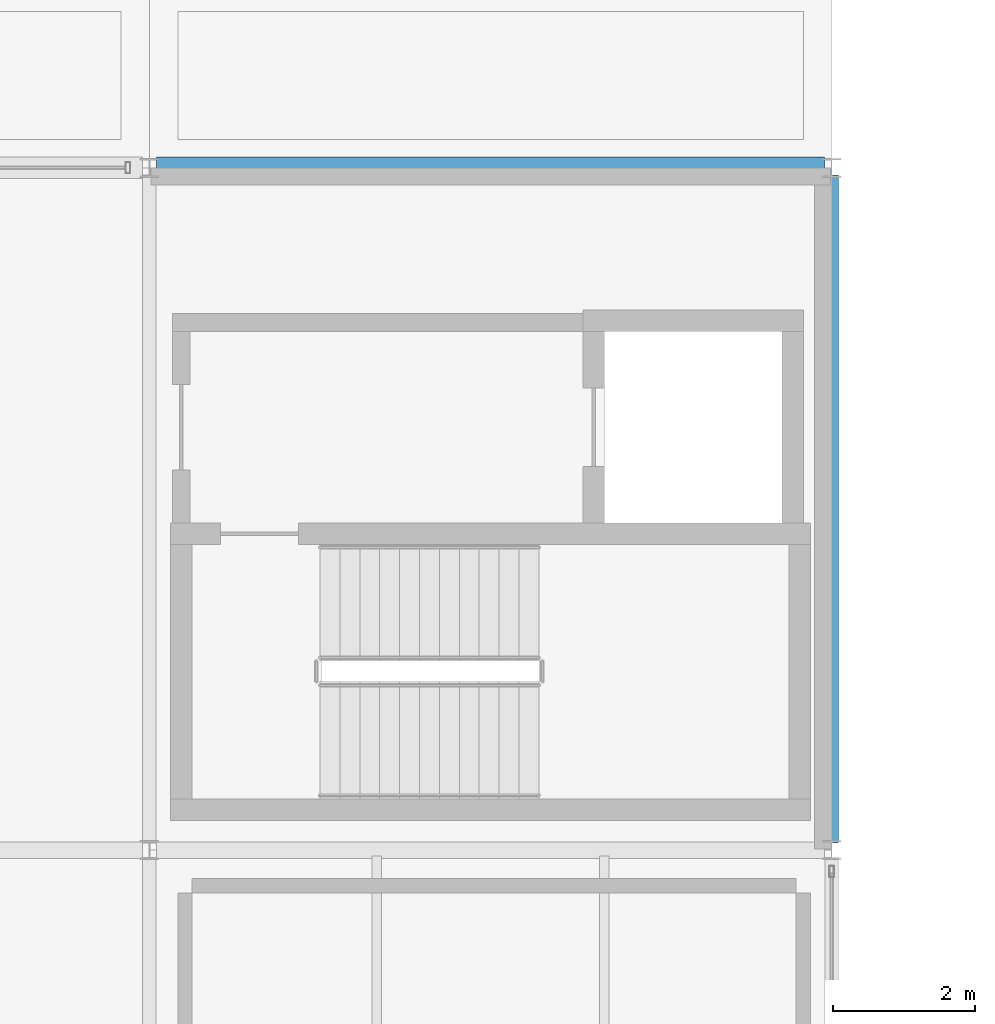
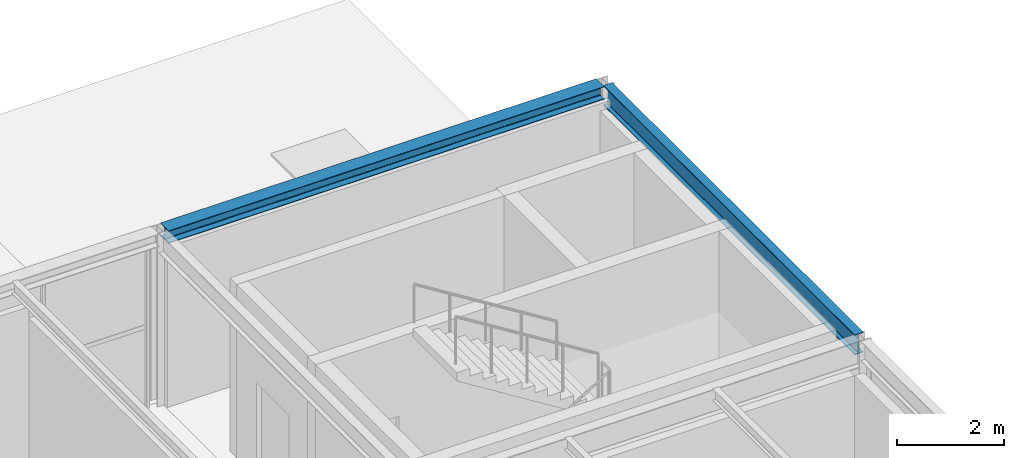
# One storey, part 29 of 39: 2 beams.
"""IFC4 building model written with IfcOpenShell, lengths in metres."""

from ifc_helpers import new_model, si_unit, direction, frame, origin, origin_2d, place, context, subcontext, project, spatial, i_section, extrude, material, material_profile, profile_set, type_object, element, save


model = new_model("IFC4")

# Units and contexts
model_context = context("Model", 3, precision=1e-05, world=origin(), true_north=direction((0.0, 1.0)))
body_context = subcontext(model_context, "Body", "Model", "MODEL_VIEW")
ifc_project = project(units=[si_unit("LENGTHUNIT", "METRE"), si_unit("AREAUNIT", "SQUARE_METRE"), si_unit("VOLUMEUNIT", "CUBIC_METRE"), si_unit("PLANEANGLEUNIT", "RADIAN"), si_unit("MASSUNIT", "GRAM", prefix="KILO")], contexts=[model_context])

# Site, building, storey
site_placement = place(None, origin())
site = spatial("IfcSite", under=ifc_project, at=site_placement, CompositionType="ELEMENT")
building_placement = place(site_placement, origin())
building = spatial("IfcBuilding", under=site, at=building_placement, Name="Coralgate Yard Interchange", CompositionType="ELEMENT")
storey_placement = place(building_placement, frame((0.0, 0.0, 18.89990234375)))
storey = spatial("IfcBuildingStorey", under=building, at=storey_placement, Name="L04", CompositionType="ELEMENT", Elevation=18.89990234375)

# Beams
ifc_material = material(Name="Structural steel S355J2", Category="steel")
ifc_material_profile_1 = material_profile(ifc_material, i_section(OverallWidth=0.1904296875, OverallDepth=0.45703125, WebThickness=0.009033203125, FlangeThickness=0.014404296875, FilletRadius=0.01025390625, at=origin_2d()), Name="UB 457x191x74")
ifc_profile_set_1 = profile_set([ifc_material_profile_1], Name="Structural steel S355J2")
beam_type_1 = type_object("IfcBeamType", Name="BM-SB-2", PredefinedType="BEAM", material=ifc_profile_set_1)
beam_1_placement = place(storey_placement, frame((19.199951171875, 28.9033203125, 3.7216796875), z_axis=(0.0, 1.0, 0.0), x_axis=(-1.0, 0.0, 0.0)))
element("IfcBeam", 1, at=beam_1_placement, inside=storey, type_object=beam_type_1, Name="L04 primary grid girder X2 Y3-4", PredefinedType="BEAM", context=body_context, shape_type="SweptSolid", body=[
    extrude(i_section(OverallWidth=0.1904296875, OverallDepth=0.45703125, WebThickness=0.009033203125, FlangeThickness=0.014404296875, FilletRadius=0.01025390625, at=origin_2d()), origin(), (0.0, 0.0, 1.0), 9.393310546875),
])
ifc_material_profile_2 = material_profile(ifc_material, i_section(OverallWidth=0.300048828125, OverallDepth=0.2900390625, WebThickness=0.008544921875, FlangeThickness=0.013916015625, FilletRadius=0.027099609375, at=origin_2d()), Name="HEA 300")
ifc_profile_set_2 = profile_set([ifc_material_profile_2], Name="Structural steel S355J2")
beam_type_2 = type_object("IfcBeamType", Name="BM-SP-2", PredefinedType="SPANDREL", material=ifc_profile_set_2)
beam_2_placement = place(storey_placement, frame((9.699462890625, 38.39990234375, 3.80517578125), z_axis=(1.0, 0.0, 0.0), x_axis=(0.0, 1.0, 0.0)))
element("IfcBeam", 2, at=beam_2_placement, inside=storey, type_object=beam_type_2, Name="L04 primary grid beam Y4 X1-2", PredefinedType="SPANDREL", context=body_context, shape_type="SweptSolid", body=[
    extrude(i_section(OverallWidth=0.300048828125, OverallDepth=0.2900390625, WebThickness=0.008544921875, FlangeThickness=0.013916015625, FilletRadius=0.027099609375, at=origin_2d()), origin(), (0.0, 0.0, 1.0), 9.401123046875),
])

save(model, "model.ifc")
